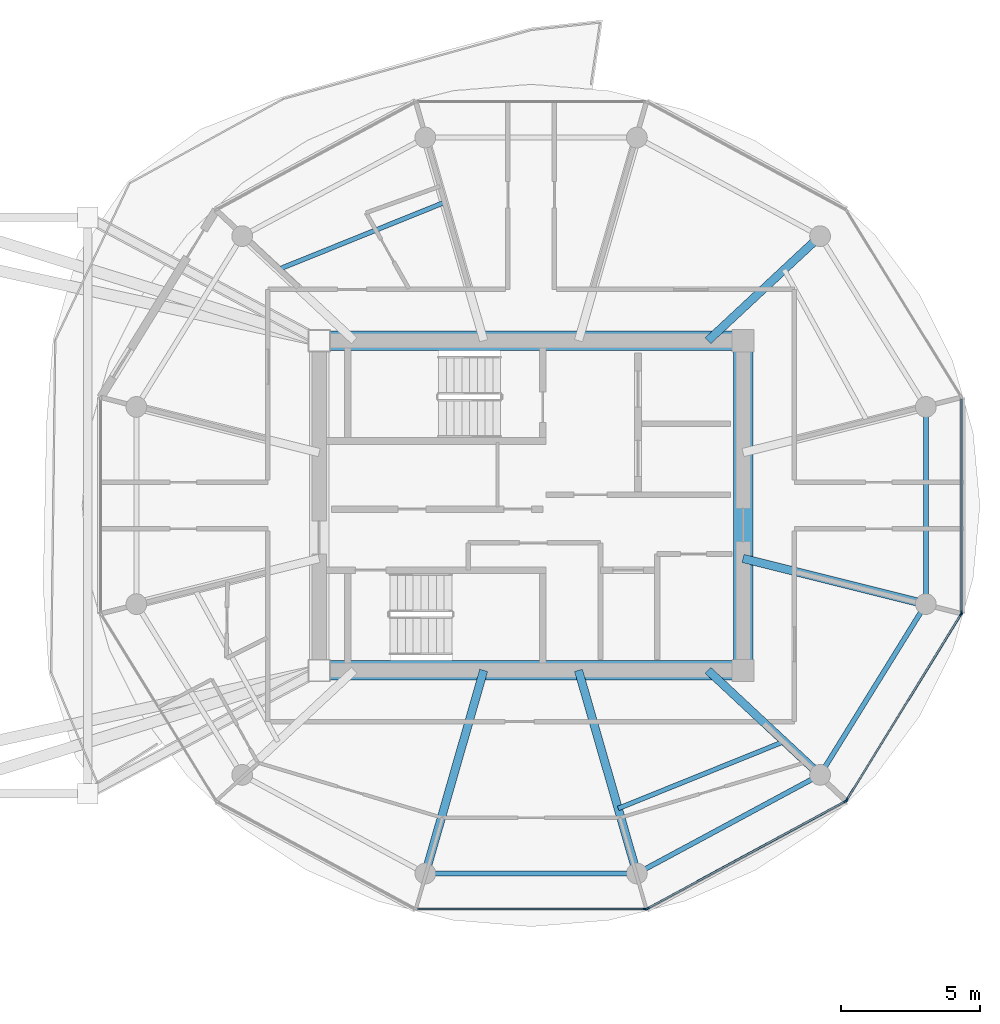
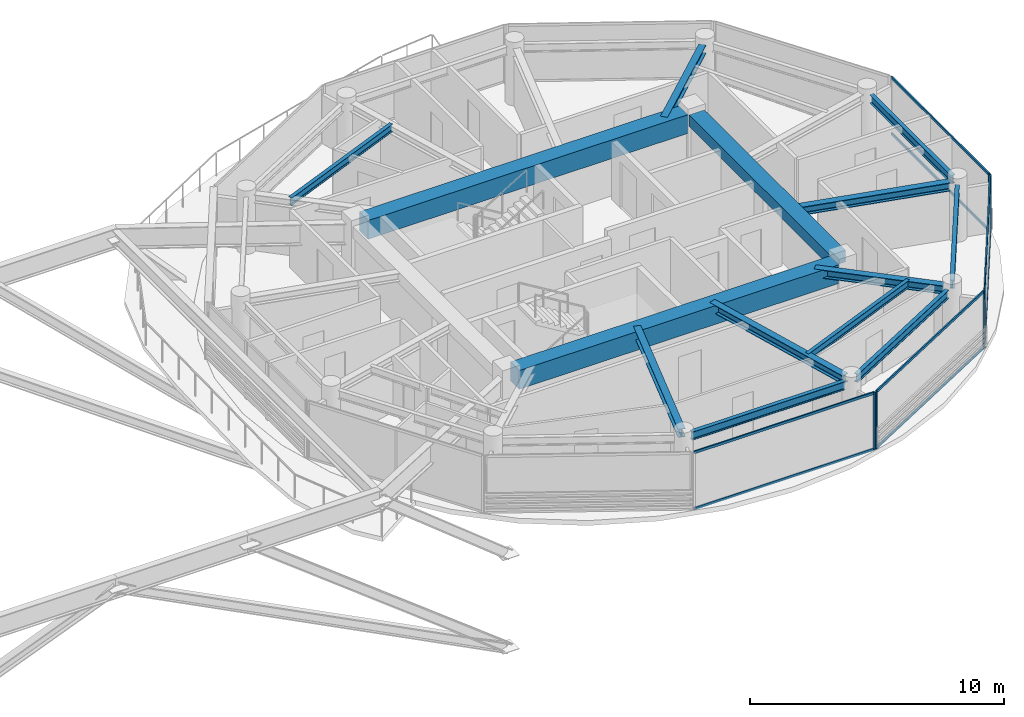
# One storey, part 10 of 23: 14 beams, 14 members, 4 elements without a shape of their own.
"""IFC4 building model written with IfcOpenShell, lengths in metres."""

from ifc_helpers import new_model, si_unit, direction, frame, origin, origin_2d, place, context, subcontext, project, spatial, rectangle, i_section, extrude, source, transform, mapped, material, layer, layer_set, material_profile, profile_set, type_object, type_shapes, element, aggregate, save


model = new_model("IFC4")

# Units and contexts
model_context = context("Model", 3, precision=1e-05, world=origin(), true_north=direction((0.0, 1.0)))
body_context = subcontext(model_context, "Body", "Model", "MODEL_VIEW")
ifc_project = project(units=[si_unit("LENGTHUNIT", "METRE"), si_unit("AREAUNIT", "SQUARE_METRE"), si_unit("VOLUMEUNIT", "CUBIC_METRE"), si_unit("PLANEANGLEUNIT", "RADIAN"), si_unit("MASSUNIT", "GRAM", prefix="KILO")], contexts=[model_context])

# Site, building, storey
site_placement = place(None, origin())
site = spatial("IfcSite", under=ifc_project, at=site_placement, CompositionType="ELEMENT")
building_placement = place(site_placement, origin())
building = spatial("IfcBuilding", under=site, at=building_placement, Name="Norrkilde Senior Care Towers", CompositionType="ELEMENT")
storey_placement = place(building_placement, frame((0.0, 0.0, 196.75)))
storey = spatial("IfcBuildingStorey", under=building, at=storey_placement, Name="L61", CompositionType="ELEMENT", Elevation=196.75)

# Beams
ifc_material_1 = material(Name="Concrete C60/75", Category="concrete")
ifc_material_profile_1 = material_profile(ifc_material_1, rectangle(XDim=0.699951171875, YDim=0.89990234375, at=origin_2d()), Name="RC BM 700x900")
ifc_profile_set_1 = profile_set([ifc_material_profile_1], Name="Concrete C60/75")
beam_type_1 = type_object("IfcBeamType", Name="Core Coupling Girder 700x900", PredefinedType="USERDEFINED", material=ifc_profile_set_1)
shared_shape_1 = source(origin(), body_context, "Body", "SweptSolid", [
    extrude(rectangle(XDim=0.699951171875, YDim=0.89990234375, at=origin_2d()), origin(), (0.0, 0.0, 1.0), 14.5400390625),
])
type_shapes(beam_type_1, [shared_shape_1])
for number, where, z_axis, x_axis, name in (
    (1, (20.72998046875, 5.949951171875, 2.31005859375), (1.0, 0.0, 0.0), (0.0, 1.0, 0.0), "L61 Core E N Coupling Girder"),
    (2, (20.72998046875, -5.949951171875, 2.31005859375), (1.0, 0.0, 0.0), (0.0, 1.0, 0.0), "L61 Core E S Coupling Girder"),
):
    element("IfcBeam", number, at=place(storey_placement, frame(where, z_axis=z_axis, x_axis=x_axis)), inside=storey, type_object=beam_type_1, Name=name, ObjectType="GIRDER", PredefinedType="USERDEFINED", context=body_context, shape_type="MappedRepresentation", body=[
        mapped(shared_shape_1, transform((0.0, 0.0, 0.0), x_axis=(1.0, 0.0, 0.0), y_axis=(0.0, 1.0, 0.0), z_axis=(0.0, 0.0, 1.0), scale=1.0)),
    ])
ifc_material_profile_2 = material_profile(ifc_material_1, rectangle(XDim=0.699951171875, YDim=0.550048828125, at=origin_2d()), Name="RC BM 700x550")
ifc_profile_set_2 = profile_set([ifc_material_profile_2], Name="Concrete C60/75")
beam_type_2 = type_object("IfcBeamType", Name="Core Portal Coupling Beam 700x550", PredefinedType="USERDEFINED", material=ifc_profile_set_2)
shared_shape_2 = source(origin(), body_context, "Body", "SweptSolid", [
    extrude(rectangle(XDim=0.699951171875, YDim=0.550048828125, at=origin_2d()), origin(), (0.0, 0.0, 1.0), 11.14013671875),
])
type_shapes(beam_type_2, [shared_shape_2])
beam_1_placement = place(storey_placement, frame((35.64990234375, -5.570068359375, 2.485107421875), z_axis=(0.0, 1.0, 0.0), x_axis=(-1.0, 0.0, 0.0)))
element("IfcBeam", 3, at=beam_1_placement, inside=storey, type_object=beam_type_2, Name="L61 Core E E Coupling Girder", ObjectType="GIRDER", PredefinedType="USERDEFINED", context=body_context, shape_type="MappedRepresentation", body=[
    mapped(shared_shape_2, transform((0.0, 0.0, 0.0), x_axis=(1.0, 0.0, 0.0), y_axis=(0.0, 1.0, 0.0), z_axis=(0.0, 0.0, 1.0), scale=1.0)),
])
ifc_material_2 = material(Name="Steel S355", Category="steel")
ifc_material_profile_3 = material_profile(ifc_material_2, i_section(OverallWidth=0.179931640625, OverallDepth=0.39990234375, WebThickness=0.008544921875, FlangeThickness=0.013427734375, FilletRadius=0.02099609375, at=origin_2d()), Name="IPE 400")
ifc_profile_set_3 = profile_set([ifc_material_profile_3], Name="Steel S355")
beam_type_3 = type_object("IfcBeamType", Name="Perimeter Ring Spandrel Z4 IPE400", PredefinedType="SPANDREL", material=ifc_profile_set_3)
shared_shape_3 = source(origin(), body_context, "Body", "SweptSolid", [
    extrude(i_section(OverallWidth=0.179931640625, OverallDepth=0.39990234375, WebThickness=0.008544921875, FlangeThickness=0.013427734375, FilletRadius=0.02099609375, at=origin_2d()), origin(), (0.0, 0.0, 1.0), 6.58056640625),
])
beam_2_placement = place(storey_placement, frame((38.606201171875, -9.43798828125, 2.56005859375), z_axis=(0.526529583789, 0.850156807533, 0.0), x_axis=(-0.850156807533, 0.526529583789, 0.0)))
element("IfcBeam", 4, at=beam_2_placement, inside=storey, type_object=beam_type_3, Name="L61 Drum E Perimeter Spandrel 11", PredefinedType="SPANDREL", context=body_context, shape_type="MappedRepresentation", body=[
    mapped(shared_shape_3, transform((0.0, 0.0, 0.0), x_axis=(1.0, 0.0, 0.0), y_axis=(0.0, 1.0, 0.0), z_axis=(0.0, 0.0, 1.0), scale=1.0)),
])
ifc_material_profile_4 = material_profile(ifc_material_2, i_section(OverallWidth=0.300048828125, OverallDepth=0.39990234375, WebThickness=0.013427734375, FlangeThickness=0.02392578125, FilletRadius=0.027099609375, at=origin_2d()), Name="HEB 400")
ifc_profile_set_4 = profile_set([ifc_material_profile_4], Name="Steel S355")
beam_type_4 = type_object("IfcBeamType", Name="Radial Floor Beam Z4 HEB400", PredefinedType="BEAM", material=ifc_profile_set_4)
shared_shape_4 = source(origin(), body_context, "Body", "SweptSolid", [
    extrude(i_section(OverallWidth=0.300048828125, OverallDepth=0.39990234375, WebThickness=0.013427734375, FlangeThickness=0.02392578125, FilletRadius=0.027099609375, at=origin_2d()), origin(), (0.0, 0.0, 1.0), 6.465087890625),
])
beam_3_placement = place(storey_placement, frame((35.64990234375, -1.910888671875, 2.56005859375), z_axis=(0.970195788563, -0.242322371758, 0.0), x_axis=(0.242322371758, 0.970195788563, 0.0)))
element("IfcBeam", 5, at=beam_3_placement, inside=storey, type_object=beam_type_4, Name="L61 Drum E Radial Floor Beam 12", PredefinedType="BEAM", context=body_context, shape_type="MappedRepresentation", body=[
    mapped(shared_shape_4, transform((0.0, 0.0, 0.0), x_axis=(1.0, 0.0, 0.0), y_axis=(0.0, 1.0, 0.0), z_axis=(0.0, 0.0, 1.0), scale=1.0)),
])
shared_shape_5 = source(origin(), body_context, "Body", "SweptSolid", [
    extrude(i_section(OverallWidth=0.179931640625, OverallDepth=0.39990234375, WebThickness=0.008544921875, FlangeThickness=0.013427734375, FilletRadius=0.02099609375, at=origin_2d()), origin(), (0.0, 0.0, 1.0), 6.839111328125),
])
beam_4_placement = place(storey_placement, frame((32.112548828125, -13.122802734375, 2.56005859375), z_axis=(0.880563930732, 0.473927382511, 0.0), x_axis=(-0.473927382511, 0.880563930732, 0.0)))
element("IfcBeam", 6, at=beam_4_placement, inside=storey, type_object=beam_type_3, Name="L61 Drum E Perimeter Spandrel 10", PredefinedType="SPANDREL", context=body_context, shape_type="MappedRepresentation", body=[
    mapped(shared_shape_5, transform((0.0, 0.0, 0.0), x_axis=(1.0, 0.0, 0.0), y_axis=(0.0, 1.0, 0.0), z_axis=(0.0, 0.0, 1.0), scale=1.0)),
])
shared_shape_6 = source(origin(), body_context, "Body", "SweptSolid", [
    extrude(i_section(OverallWidth=0.300048828125, OverallDepth=0.39990234375, WebThickness=0.013427734375, FlangeThickness=0.02392578125, FilletRadius=0.027099609375, at=origin_2d()), origin(), (0.0, 0.0, 1.0), 5.197998046875),
])
for number, where, z_axis, x_axis, name in (
    (7, (34.3828125, 5.949951171875, 2.56005859375), (0.731448749334, 0.681896419625, 0.0), (-0.681896419625, 0.731448749334, 0.0), "L61 Drum E Radial Floor Beam 02"),
    (8, (34.3828125, -5.949951171875, 2.56005859375), (0.731448749334, -0.681896419625, 0.0), (0.681896419625, 0.731448749334, 0.0), "L61 Drum E Radial Floor Beam 11"),
):
    element("IfcBeam", number, at=place(storey_placement, frame(where, z_axis=z_axis, x_axis=x_axis)), inside=storey, type_object=beam_type_4, Name=name, PredefinedType="BEAM", context=body_context, shape_type="MappedRepresentation", body=[
        mapped(shared_shape_6, transform((0.0, 0.0, 0.0), x_axis=(1.0, 0.0, 0.0), y_axis=(0.0, 1.0, 0.0), z_axis=(0.0, 0.0, 1.0), scale=1.0)),
    ])
shared_shape_7 = source(origin(), body_context, "Body", "SweptSolid", [
    extrude(i_section(OverallWidth=0.179931640625, OverallDepth=0.39990234375, WebThickness=0.008544921875, FlangeThickness=0.013427734375, FilletRadius=0.02099609375, at=origin_2d()), origin(), (0.0, 0.0, 1.0), 6.96533203125),
])
beam_5_placement = place(storey_placement, frame((24.517333984375, -13.281494140625, 2.56005859375), z_axis=(1.0, 0.0, 0.0), x_axis=(0.0, 1.0, 0.0)))
element("IfcBeam", 9, at=beam_5_placement, inside=storey, type_object=beam_type_3, Name="L61 Drum E Perimeter Spandrel 09", PredefinedType="SPANDREL", context=body_context, shape_type="MappedRepresentation", body=[
    mapped(shared_shape_7, transform((0.0, 0.0, 0.0), x_axis=(1.0, 0.0, 0.0), y_axis=(0.0, 1.0, 0.0), z_axis=(0.0, 0.0, 1.0), scale=1.0)),
])
shared_shape_8 = source(origin(), body_context, "Body", "SweptSolid", [
    extrude(i_section(OverallWidth=0.300048828125, OverallDepth=0.39990234375, WebThickness=0.013427734375, FlangeThickness=0.02392578125, FilletRadius=0.027099609375, at=origin_2d()), origin(), (0.0, 0.0, 1.0), 7.29345703125),
])
type_shapes(beam_type_4, [shared_shape_4, shared_shape_6, shared_shape_8])
for number, where, z_axis, x_axis, name in (
    (10, (26.289794921875, -5.949951171875, 2.56005859375), (-0.276263751906, -0.961081858836, 0.0), (0.961081858836, -0.276263751906, 0.0), "L61 Drum E Radial Floor Beam 09"),
    (11, (29.710205078125, -5.949951171875, 2.56005859375), (0.276263751906, -0.961081858836, 0.0), (0.961081858836, 0.276263751906, 0.0), "L61 Drum E Radial Floor Beam 10"),
):
    element("IfcBeam", number, at=place(storey_placement, frame(where, z_axis=z_axis, x_axis=x_axis)), inside=storey, type_object=beam_type_4, Name=name, PredefinedType="BEAM", context=body_context, shape_type="MappedRepresentation", body=[
        mapped(shared_shape_8, transform((0.0, 0.0, 0.0), x_axis=(1.0, 0.0, 0.0), y_axis=(0.0, 1.0, 0.0), z_axis=(0.0, 0.0, 1.0), scale=1.0)),
    ])
shared_shape_9 = source(origin(), body_context, "Body", "SweptSolid", [
    extrude(i_section(OverallWidth=0.179931640625, OverallDepth=0.39990234375, WebThickness=0.008544921875, FlangeThickness=0.013427734375, FilletRadius=0.02099609375, at=origin_2d()), origin(), (0.0, 0.0, 1.0), 6.44775390625),
])
type_shapes(beam_type_3, [shared_shape_3, shared_shape_5, shared_shape_7, shared_shape_9])
beam_6_placement = place(storey_placement, frame((42.247314453125, -3.223876953125, 2.56005859375), z_axis=(0.0, 1.0, 0.0), x_axis=(-1.0, 0.0, 0.0)))
element("IfcBeam", 12, at=beam_6_placement, inside=storey, type_object=beam_type_3, Name="L61 Drum E Perimeter Spandrel 12", PredefinedType="SPANDREL", context=body_context, shape_type="MappedRepresentation", body=[
    mapped(shared_shape_9, transform((0.0, 0.0, 0.0), x_axis=(1.0, 0.0, 0.0), y_axis=(0.0, 1.0, 0.0), z_axis=(0.0, 0.0, 1.0), scale=1.0)),
])
ifc_material_profile_5 = material_profile(ifc_material_2, i_section(OverallWidth=0.169921875, OverallDepth=0.360107421875, WebThickness=0.008056640625, FlangeThickness=0.0126953125, FilletRadius=0.01806640625, at=origin_2d()), Name="IPE 360")
ifc_profile_set_5 = profile_set([ifc_material_profile_5], Name="Steel S355")
beam_type_5 = type_object("IfcBeamType", Name="Secondary Floor Joist IPE360", PredefinedType="JOIST", material=ifc_profile_set_5)
shared_shape_10 = source(origin(), body_context, "Body", "SweptSolid", [
    extrude(i_section(OverallWidth=0.169921875, OverallDepth=0.360107421875, WebThickness=0.008056640625, FlangeThickness=0.0126953125, FilletRadius=0.01806640625, at=origin_2d()), origin(), (0.0, 0.0, 1.0), 6.461669921875),
])
type_shapes(beam_type_5, [shared_shape_10])
for number, where, z_axis, x_axis, name in (
    (13, (24.856689453125, 10.935302734375, 2.580078125), (-0.927225942298, -0.374502405772, 0.0), (0.374502405772, -0.927225942298, 0.0), "L61 Drum E Secondary Floor Joist 2"),
    (14, (31.143310546875, -10.935302734375, 2.580078125), (0.927225942298, 0.374502405772, 0.0), (-0.374502405772, 0.927225942298, 0.0), "L61 Drum E Secondary Floor Joist 4"),
):
    element("IfcBeam", number, at=place(storey_placement, frame(where, z_axis=z_axis, x_axis=x_axis)), inside=storey, type_object=beam_type_5, Name=name, PredefinedType="JOIST", context=body_context, shape_type="MappedRepresentation", body=[
        mapped(shared_shape_10, transform((0.0, 0.0, 0.0), x_axis=(1.0, 0.0, 0.0), y_axis=(0.0, 1.0, 0.0), z_axis=(0.0, 0.0, 1.0), scale=1.0)),
    ])

# Curtain wall, members
ifc_material_3 = material(Name="Triple Low-E Insulated Glazing", Category="glass")
ifc_layer = layer(ifc_material_3, 0.18505859375)
ifc_layer_set = layer_set([ifc_layer], Name="Triple Low-E Insulated Glazing")
curtain_wall_type = type_object("IfcCurtainWallType", Name="CW6 Zone 4 Crown Pavilion Curtain Wall", PredefinedType="NOTDEFINED", material=ifc_layer_set)
curtain_wall_1_placement = place(storey_placement, origin())
curtain_wall_1 = element("IfcCurtainWall", 15, at=curtain_wall_1_placement, inside=storey, type_object=curtain_wall_type, Name="L61 Drum E Curtain Wall 10", PredefinedType="NOTDEFINED")
ifc_material_4 = material(Name="Anodised Aluminium", Category="aluminium")
ifc_material_profile_6 = material_profile(ifc_material_4, rectangle(XDim=0.06005859375, YDim=0.1201171875, at=origin_2d()), Name="ALU TRAN 60x120")
ifc_profile_set_6 = profile_set([ifc_material_profile_6], Name="Anodised Aluminium")
member_type_1 = type_object("IfcMemberType", Name="Curtain Wall Transom Typical 60x120", PredefinedType="USERDEFINED", material=ifc_profile_set_6)
shared_shape_11 = source(origin(), body_context, "Body", "SweptSolid", [
    extrude(rectangle(XDim=0.06005859375, YDim=0.1201171875, at=origin_2d()), origin(), (0.0, 0.0, 1.0), 7.808837890625),
])
member_1_placement = place(storey_placement, frame((43.498046875, -3.958251953125, 0.030029296875), z_axis=(-0.524250924101, -0.851563837055, 0.0), x_axis=(0.851563837055, -0.524250924101, 0.0)))
member_1 = element("IfcMember", 16, at=member_1_placement, type_object=member_type_1, Name="CW-6 transom 1.1", ObjectType="TRANSOM", PredefinedType="USERDEFINED", context=body_context, shape_type="MappedRepresentation", body=[
    mapped(shared_shape_11, transform((0.0, 0.0, 0.0), x_axis=(1.0, 0.0, 0.0), y_axis=(0.0, 1.0, 0.0), z_axis=(0.0, 0.0, 1.0), scale=1.0)),
])
member_2_placement = place(storey_placement, frame((43.498046875, -3.958251953125, 2.72998046875), z_axis=(-0.524250924101, -0.851563837055, 0.0), x_axis=(0.851563837055, -0.524250924101, 0.0)))
member_2 = element("IfcMember", 17, at=member_2_placement, type_object=member_type_1, Name="CW-6 transom 1.2", ObjectType="TRANSOM", PredefinedType="USERDEFINED", context=body_context, shape_type="MappedRepresentation", body=[
    mapped(shared_shape_11, transform((0.0, 0.0, 0.0), x_axis=(1.0, 0.0, 0.0), y_axis=(0.0, 1.0, 0.0), z_axis=(0.0, 0.0, 1.0), scale=1.0)),
])

curtain_wall_2_placement = place(storey_placement, origin())
curtain_wall_2 = element("IfcCurtainWall", 18, at=curtain_wall_2_placement, inside=storey, type_object=curtain_wall_type, Name="L61 Drum E Curtain Wall 08", PredefinedType="NOTDEFINED")
shared_shape_12 = source(origin(), body_context, "Body", "SweptSolid", [
    extrude(rectangle(XDim=0.06005859375, YDim=0.1201171875, at=origin_2d()), origin(), (0.0, 0.0, 1.0), 8.19384765625),
])
member_3_placement = place(storey_placement, frame((32.096923828125, -14.566162109375, 0.030029296875), z_axis=(-1.0, 0.0, 0.0), x_axis=(0.0, -1.0, 0.0)))
member_3 = element("IfcMember", 19, at=member_3_placement, type_object=member_type_1, Name="CW-6 transom 1.1", ObjectType="TRANSOM", PredefinedType="USERDEFINED", context=body_context, shape_type="MappedRepresentation", body=[
    mapped(shared_shape_12, transform((0.0, 0.0, 0.0), x_axis=(1.0, 0.0, 0.0), y_axis=(0.0, 1.0, 0.0), z_axis=(0.0, 0.0, 1.0), scale=1.0)),
])
member_4_placement = place(storey_placement, frame((32.096923828125, -14.566162109375, 2.72998046875), z_axis=(-1.0, 0.0, 0.0), x_axis=(0.0, -1.0, 0.0)))
member_4 = element("IfcMember", 20, at=member_4_placement, type_object=member_type_1, Name="CW-6 transom 1.2", ObjectType="TRANSOM", PredefinedType="USERDEFINED", context=body_context, shape_type="MappedRepresentation", body=[
    mapped(shared_shape_12, transform((0.0, 0.0, 0.0), x_axis=(1.0, 0.0, 0.0), y_axis=(0.0, 1.0, 0.0), z_axis=(0.0, 0.0, 1.0), scale=1.0)),
])

curtain_wall_3_placement = place(storey_placement, origin())
curtain_wall_3 = element("IfcCurtainWall", 21, at=curtain_wall_3_placement, inside=storey, type_object=curtain_wall_type, Name="L61 Drum E Curtain Wall 09", PredefinedType="NOTDEFINED")
shared_shape_13 = source(origin(), body_context, "Body", "SweptSolid", [
    extrude(rectangle(XDim=0.06005859375, YDim=0.1201171875, at=origin_2d()), origin(), (0.0, 0.0, 1.0), 8.0673828125),
])
member_5_placement = place(storey_placement, frame((39.313232421875, -10.694091796875, 0.030029296875), z_axis=(-0.87937750072, -0.476125205411, 0.0), x_axis=(0.476125205411, -0.87937750072, 0.0)))
member_5 = element("IfcMember", 22, at=member_5_placement, type_object=member_type_1, Name="CW-6 transom 1.1", ObjectType="TRANSOM", PredefinedType="USERDEFINED", context=body_context, shape_type="MappedRepresentation", body=[
    mapped(shared_shape_13, transform((0.0, 0.0, 0.0), x_axis=(1.0, 0.0, 0.0), y_axis=(0.0, 1.0, 0.0), z_axis=(0.0, 0.0, 1.0), scale=1.0)),
])
member_6_placement = place(storey_placement, frame((39.313232421875, -10.694091796875, 2.72998046875), z_axis=(-0.87937750072, -0.476125205411, 0.0), x_axis=(0.476125205411, -0.87937750072, 0.0)))
member_6 = element("IfcMember", 23, at=member_6_placement, type_object=member_type_1, Name="CW-6 transom 1.2", ObjectType="TRANSOM", PredefinedType="USERDEFINED", context=body_context, shape_type="MappedRepresentation", body=[
    mapped(shared_shape_13, transform((0.0, 0.0, 0.0), x_axis=(1.0, 0.0, 0.0), y_axis=(0.0, 1.0, 0.0), z_axis=(0.0, 0.0, 1.0), scale=1.0)),
])

curtain_wall_4_placement = place(storey_placement, origin())
curtain_wall_4 = element("IfcCurtainWall", 24, at=curtain_wall_4_placement, inside=storey, type_object=curtain_wall_type, Name="L61 Drum E Curtain Wall 11", PredefinedType="NOTDEFINED")
shared_shape_14 = source(origin(), body_context, "Body", "SweptSolid", [
    extrude(rectangle(XDim=0.06005859375, YDim=0.1201171875, at=origin_2d()), origin(), (0.0, 0.0, 1.0), 7.67578125),
])
type_shapes(member_type_1, [shared_shape_11, shared_shape_12, shared_shape_13, shared_shape_14])
member_7_placement = place(storey_placement, frame((43.531982421875, 3.837890625, 0.030029296875), z_axis=(0.0, -1.0, 0.0), x_axis=(1.0, 0.0, 0.0)))
member_7 = element("IfcMember", 25, at=member_7_placement, type_object=member_type_1, Name="CW-6 transom 1.1", ObjectType="TRANSOM", PredefinedType="USERDEFINED", context=body_context, shape_type="MappedRepresentation", body=[
    mapped(shared_shape_14, transform((0.0, 0.0, 0.0), x_axis=(1.0, 0.0, 0.0), y_axis=(0.0, 1.0, 0.0), z_axis=(0.0, 0.0, 1.0), scale=1.0)),
])
member_8_placement = place(storey_placement, frame((43.531982421875, 3.837890625, 2.72998046875), z_axis=(0.0, -1.0, 0.0), x_axis=(1.0, 0.0, 0.0)))
member_8 = element("IfcMember", 26, at=member_8_placement, type_object=member_type_1, Name="CW-6 transom 1.2", ObjectType="TRANSOM", PredefinedType="USERDEFINED", context=body_context, shape_type="MappedRepresentation", body=[
    mapped(shared_shape_14, transform((0.0, 0.0, 0.0), x_axis=(1.0, 0.0, 0.0), y_axis=(0.0, 1.0, 0.0), z_axis=(0.0, 0.0, 1.0), scale=1.0)),
])

# Member
ifc_material_profile_7 = material_profile(ifc_material_4, rectangle(XDim=0.06494140625, YDim=0.14990234375, at=origin_2d()), Name="ALU MULL 65x150")
ifc_profile_set_7 = profile_set([ifc_material_profile_7], Name="Anodised Aluminium")
member_type_2 = type_object("IfcMemberType", Name="Curtain Wall Mullion Z3-Z4 65x150", PredefinedType="MULLION", material=ifc_profile_set_7)
shared_shape_15 = source(origin(), body_context, "Body", "SweptSolid", [
    extrude(rectangle(XDim=0.06494140625, YDim=0.14990234375, at=origin_2d()), origin(), (0.0, 0.0, 1.0), 2.760009765625),
])
type_shapes(member_type_2, [shared_shape_15])
member_9_placement = place(storey_placement, frame((32.12939453125, -14.566162109375, 0.0), z_axis=(0.0, 0.0, 1.0), x_axis=(0.0, -1.0, 0.0)))
member_9 = element("IfcMember", 27, at=member_9_placement, type_object=member_type_2, Name="CW-6 mullion 1", PredefinedType="MULLION", context=body_context, shape_type="MappedRepresentation", body=[
    mapped(shared_shape_15, transform((0.0, 0.0, 0.0), x_axis=(1.0, 0.0, 0.0), y_axis=(0.0, 1.0, 0.0), z_axis=(0.0, 0.0, 1.0), scale=1.0)),
])

aggregate(curtain_wall_2, [member_9, member_3, member_4])

member_10_placement = place(storey_placement, frame((39.341796875, -10.6787109375, 0.0), z_axis=(0.0, 0.0, 1.0), x_axis=(0.476132676136, -0.879373455772, 0.0)))
member_10 = element("IfcMember", 28, at=member_10_placement, type_object=member_type_2, Name="CW-6 mullion 1", PredefinedType="MULLION", context=body_context, shape_type="MappedRepresentation", body=[
    mapped(shared_shape_15, transform((0.0, 0.0, 0.0), x_axis=(1.0, 0.0, 0.0), y_axis=(0.0, 1.0, 0.0), z_axis=(0.0, 0.0, 1.0), scale=1.0)),
])

member_11_placement = place(storey_placement, frame((32.1904296875, -14.55078125, 0.0), z_axis=(0.0, 0.0, 1.0), x_axis=(0.476132676136, -0.879373455772, 0.0)))
member_11 = element("IfcMember", 29, at=member_11_placement, type_object=member_type_2, Name="CW-6 mullion 2", PredefinedType="MULLION", context=body_context, shape_type="MappedRepresentation", body=[
    mapped(shared_shape_15, transform((0.0, 0.0, 0.0), x_axis=(1.0, 0.0, 0.0), y_axis=(0.0, 1.0, 0.0), z_axis=(0.0, 0.0, 1.0), scale=1.0)),
])

aggregate(curtain_wall_3, [member_10, member_11, member_5, member_6])

member_12_placement = place(storey_placement, frame((43.51513671875, -3.9306640625, 0.0), z_axis=(0.0, 0.0, 1.0), x_axis=(0.851562727283, -0.524252726748, 0.0)))
member_12 = element("IfcMember", 30, at=member_12_placement, type_object=member_type_2, Name="CW-6 mullion 1", PredefinedType="MULLION", context=body_context, shape_type="MappedRepresentation", body=[
    mapped(shared_shape_15, transform((0.0, 0.0, 0.0), x_axis=(1.0, 0.0, 0.0), y_axis=(0.0, 1.0, 0.0), z_axis=(0.0, 0.0, 1.0), scale=1.0)),
])

member_13_placement = place(storey_placement, frame((39.38720703125, -10.635498046875, 0.0), z_axis=(0.0, 0.0, 1.0), x_axis=(0.851562727283, -0.524252726748, 0.0)))
member_13 = element("IfcMember", 31, at=member_13_placement, type_object=member_type_2, Name="CW-6 mullion 2", PredefinedType="MULLION", context=body_context, shape_type="MappedRepresentation", body=[
    mapped(shared_shape_15, transform((0.0, 0.0, 0.0), x_axis=(1.0, 0.0, 0.0), y_axis=(0.0, 1.0, 0.0), z_axis=(0.0, 0.0, 1.0), scale=1.0)),
])

aggregate(curtain_wall_1, [member_12, member_13, member_1, member_2])

member_14_placement = place(storey_placement, frame((43.531982421875, -3.87060546875, 0.0), z_axis=(0.0, 0.0, 1.0), x_axis=(1.0, 0.0, 0.0)))
member_14 = element("IfcMember", 32, at=member_14_placement, type_object=member_type_2, Name="CW-6 mullion 2", PredefinedType="MULLION", context=body_context, shape_type="MappedRepresentation", body=[
    mapped(shared_shape_15, transform((0.0, 0.0, 0.0), x_axis=(1.0, 0.0, 0.0), y_axis=(0.0, 1.0, 0.0), z_axis=(0.0, 0.0, 1.0), scale=1.0)),
])

aggregate(curtain_wall_4, [member_14, member_7, member_8])

save(model, "model.ifc")
